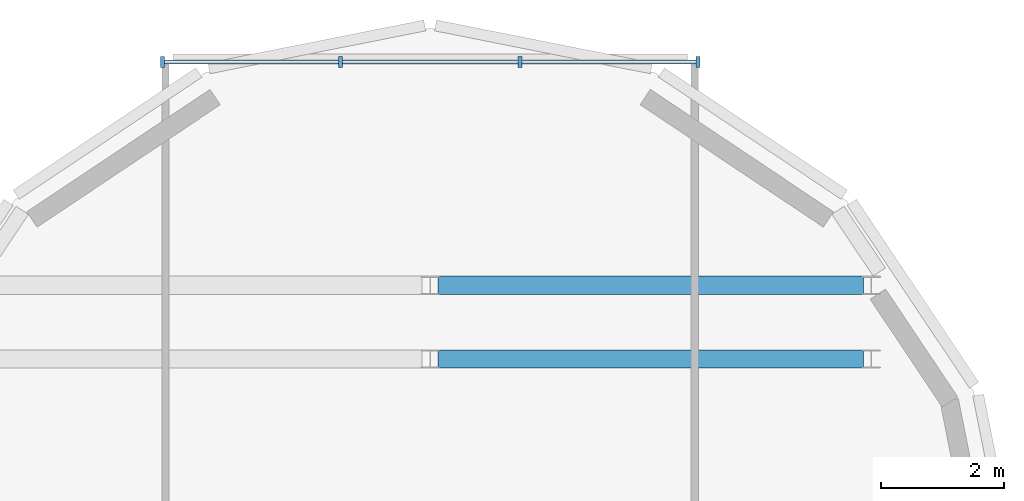
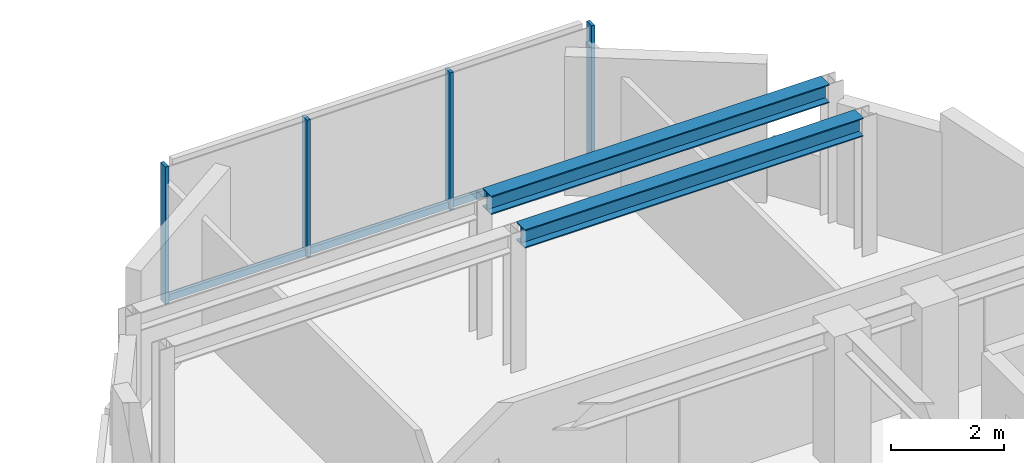
# One storey, part 6 of 12: 7 members, 2 beams, 1 element without a shape of its own.
"""IFC4 building model written with IfcOpenShell, lengths in metres."""

from ifc_helpers import new_model, si_unit, direction, frame, origin, origin_2d, place, context, subcontext, project, spatial, rectangle, i_section, extrude, source, transform, mapped, material, material_profile, profile_set, type_object, element, aggregate, save


model = new_model("IFC4")

# Units and contexts
model_context = context("Model", 3, precision=1e-05, world=origin(), true_north=direction((0.0, 1.0)))
body_context = subcontext(model_context, "Body", "Model", "MODEL_VIEW")
ifc_project = project(units=[si_unit("LENGTHUNIT", "METRE"), si_unit("AREAUNIT", "SQUARE_METRE"), si_unit("VOLUMEUNIT", "CUBIC_METRE"), si_unit("PLANEANGLEUNIT", "RADIAN"), si_unit("MASSUNIT", "GRAM", prefix="KILO")], contexts=[model_context])

# Site, building, storey
site_placement = place(None, origin())
site = spatial("IfcSite", under=ifc_project, at=site_placement, CompositionType="ELEMENT")
building_placement = place(site_placement, origin())
building = spatial("IfcBuilding", under=site, at=building_placement, Name="Keilestroom Media Tower", CompositionType="ELEMENT")
storey_placement = place(building_placement, frame((0.0, 0.0, 249.199951171875)))
storey = spatial("IfcBuildingStorey", under=building, at=storey_placement, Name="L69", CompositionType="ELEMENT", Elevation=249.199951171875)

# Beams
ifc_material_1 = material(Name="Steel S355", Category="steel")
ifc_material_profile_1 = material_profile(ifc_material_1, i_section(OverallWidth=0.300048828125, OverallDepth=0.39990234375, WebThickness=0.011474609375, FlangeThickness=0.02392578125, at=origin_2d()), Name="HEB 400")
ifc_profile_set_1 = profile_set([ifc_material_profile_1], Name="Steel S355")
beam_type = type_object("IfcBeamType", Name="Primary-Structural-Girder-HEB-400", PredefinedType="BEAM", material=ifc_profile_set_1)
shared_shape_1 = source(origin(), body_context, "Body", "SweptSolid", [
    extrude(i_section(OverallWidth=0.300048828125, OverallDepth=0.39990234375, WebThickness=0.011474609375, FlangeThickness=0.02392578125, at=origin_2d()), origin(), (0.0, 0.0, 1.0), 6.940185546875),
])
for number, where, z_axis, x_axis, name in (
    (1, (0.1298828125, 14.39990234375, 2.81005859375), (1.0, 0.0, 0.0), (0.0, 1.0, 0.0), "L69 Beam BG-8 BM-L69-EW-018"),
    (2, (0.1298828125, 15.60009765625, 2.81005859375), (1.0, 0.0, 0.0), (0.0, 1.0, 0.0), "L69 Beam BG-8 BM-L69-EW-020"),
):
    element("IfcBeam", number, at=place(storey_placement, frame(where, z_axis=z_axis, x_axis=x_axis)), inside=storey, type_object=beam_type, Name=name, PredefinedType="BEAM", context=body_context, shape_type="MappedRepresentation", body=[
        mapped(shared_shape_1, transform((0.0, 0.0, 0.0), x_axis=(1.0, 0.0, 0.0), y_axis=(0.0, 1.0, 0.0), z_axis=(0.0, 0.0, 1.0), scale=1.0)),
    ])

# Curtain wall, members
ifc_material_2 = material(Name="Anodised Aluminium Alloy", Category="aluminium")
curtain_wall_type = type_object("IfcCurtainWallType", Name="Unitised-Curtain-Wall-CW-6", PredefinedType="NOTDEFINED", material=ifc_material_2)
curtain_wall_placement = place(storey_placement, origin())
curtain_wall = element("IfcCurtainWall", 3, at=curtain_wall_placement, inside=storey, type_object=curtain_wall_type, Name="L69 Curtain Wall CW-6 CW-L69-LN-1", PredefinedType="NOTDEFINED")
ifc_material_profile_2 = material_profile(ifc_material_2, rectangle(XDim=0.06494140625, YDim=0.179931640625, at=origin_2d()), Name="ALU MULLION 65x180")
ifc_profile_set_2 = profile_set([ifc_material_profile_2], Name="Anodised Aluminium Alloy")
member_type_1 = type_object("IfcMemberType", Name="Curtain-Wall-Mullion-CW-6", PredefinedType="MULLION", material=ifc_profile_set_2)
shared_shape_2 = source(origin(), body_context, "Body", "SweptSolid", [
    extrude(rectangle(XDim=0.06494140625, YDim=0.179931640625, at=origin_2d()), origin(), (0.0, 0.0, 1.0), 2.97998046875),
])
member_1_placement = place(storey_placement, frame((-4.367431640625, 19.25, 0.0), z_axis=(0.0, 0.0, 1.0), x_axis=(1.0, 0.0, 0.0)))
member_1 = element("IfcMember", 4, at=member_1_placement, type_object=member_type_1, Name="CW-6 Mullion 00", PredefinedType="MULLION", context=body_context, shape_type="MappedRepresentation", body=[
    mapped(shared_shape_2, transform((0.0, 0.0, 0.0), x_axis=(1.0, 0.0, 0.0), y_axis=(0.0, 1.0, 0.0), z_axis=(0.0, 0.0, 1.0), scale=1.0)),
])
member_2_placement = place(storey_placement, frame((-1.466796875, 19.25, 0.0), z_axis=(0.0, 0.0, 1.0), x_axis=(1.0, 0.0, 0.0)))
member_2 = element("IfcMember", 5, at=member_2_placement, type_object=member_type_1, Name="CW-6 Mullion 01", PredefinedType="MULLION", context=body_context, shape_type="MappedRepresentation", body=[
    mapped(shared_shape_2, transform((0.0, 0.0, 0.0), x_axis=(1.0, 0.0, 0.0), y_axis=(0.0, 1.0, 0.0), z_axis=(0.0, 0.0, 1.0), scale=1.0)),
])
member_3_placement = place(storey_placement, frame((1.466796875, 19.25, 0.0), z_axis=(0.0, 0.0, 1.0), x_axis=(1.0, 0.0, 0.0)))
member_3 = element("IfcMember", 6, at=member_3_placement, type_object=member_type_1, Name="CW-6 Mullion 02", PredefinedType="MULLION", context=body_context, shape_type="MappedRepresentation", body=[
    mapped(shared_shape_2, transform((0.0, 0.0, 0.0), x_axis=(1.0, 0.0, 0.0), y_axis=(0.0, 1.0, 0.0), z_axis=(0.0, 0.0, 1.0), scale=1.0)),
])
member_4_placement = place(storey_placement, frame((4.367431640625, 19.25, 0.0), z_axis=(0.0, 0.0, 1.0), x_axis=(1.0, 0.0, 0.0)))
member_4 = element("IfcMember", 7, at=member_4_placement, type_object=member_type_1, Name="CW-6 Mullion 03", PredefinedType="MULLION", context=body_context, shape_type="MappedRepresentation", body=[
    mapped(shared_shape_2, transform((0.0, 0.0, 0.0), x_axis=(1.0, 0.0, 0.0), y_axis=(0.0, 1.0, 0.0), z_axis=(0.0, 0.0, 1.0), scale=1.0)),
])
ifc_material_profile_3 = material_profile(ifc_material_2, rectangle(XDim=0.06494140625, YDim=0.14990234375, at=origin_2d()), Name="ALU TRANSOM 65x150")
ifc_profile_set_3 = profile_set([ifc_material_profile_3], Name="Anodised Aluminium Alloy")
member_type_2 = type_object("IfcMemberType", Name="Curtain-Wall-Transom-CW-6", PredefinedType="USERDEFINED", material=ifc_profile_set_3)
shared_shape_3 = source(origin(), body_context, "Body", "SweptSolid", [
    extrude(rectangle(XDim=0.06494140625, YDim=0.14990234375, at=origin_2d()), origin(), (0.0, 0.0, 1.0), 2.839599609375),
])
member_5_placement = place(storey_placement, frame((-4.3369140625, 19.25, 0.074951171875), z_axis=(1.0, 0.0, 0.0), x_axis=(0.0, 1.0, 0.0)))
member_5 = element("IfcMember", 8, at=member_5_placement, type_object=member_type_2, Name="CW-6 Transom 00.1", ObjectType="TRANSOM", PredefinedType="USERDEFINED", context=body_context, shape_type="MappedRepresentation", body=[
    mapped(shared_shape_3, transform((0.0, 0.0, 0.0), x_axis=(1.0, 0.0, 0.0), y_axis=(0.0, 1.0, 0.0), z_axis=(0.0, 0.0, 1.0), scale=1.0)),
])
member_6_placement = place(storey_placement, frame((1.497314453125, 19.25, 0.074951171875), z_axis=(1.0, 0.0, 0.0), x_axis=(0.0, 1.0, 0.0)))
member_6 = element("IfcMember", 9, at=member_6_placement, type_object=member_type_2, Name="CW-6 Transom 02.1", ObjectType="TRANSOM", PredefinedType="USERDEFINED", context=body_context, shape_type="MappedRepresentation", body=[
    mapped(shared_shape_3, transform((0.0, 0.0, 0.0), x_axis=(1.0, 0.0, 0.0), y_axis=(0.0, 1.0, 0.0), z_axis=(0.0, 0.0, 1.0), scale=1.0)),
])
shared_shape_4 = source(origin(), body_context, "Body", "SweptSolid", [
    extrude(rectangle(XDim=0.06494140625, YDim=0.14990234375, at=origin_2d()), origin(), (0.0, 0.0, 1.0), 2.87255859375),
])
member_7_placement = place(storey_placement, frame((-1.436279296875, 19.25, 0.074951171875), z_axis=(1.0, 0.0, 0.0), x_axis=(0.0, 1.0, 0.0)))
member_7 = element("IfcMember", 10, at=member_7_placement, type_object=member_type_2, Name="CW-6 Transom 01.1", ObjectType="TRANSOM", PredefinedType="USERDEFINED", context=body_context, shape_type="MappedRepresentation", body=[
    mapped(shared_shape_4, transform((0.0, 0.0, 0.0), x_axis=(1.0, 0.0, 0.0), y_axis=(0.0, 1.0, 0.0), z_axis=(0.0, 0.0, 1.0), scale=1.0)),
])
aggregate(curtain_wall, [member_1, member_2, member_3, member_4, member_5, member_7, member_6])

save(model, "model.ifc")
